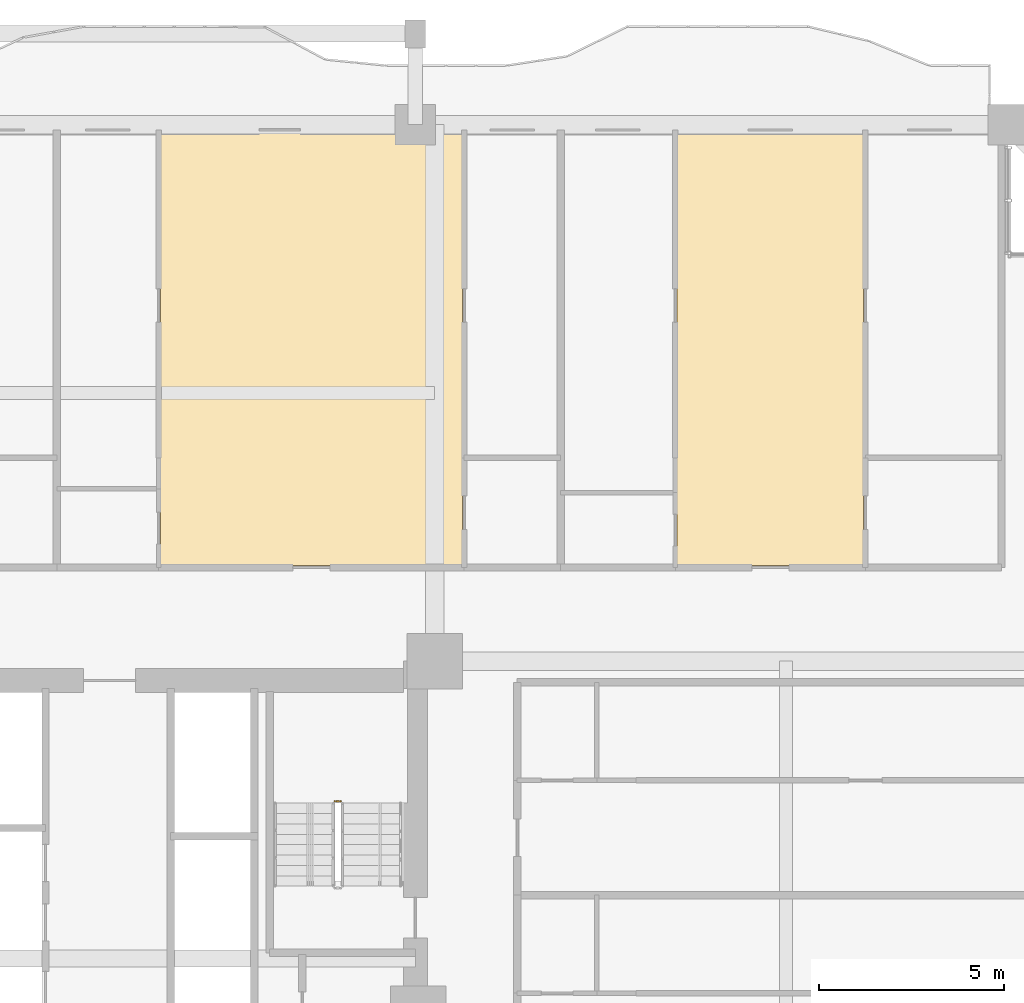
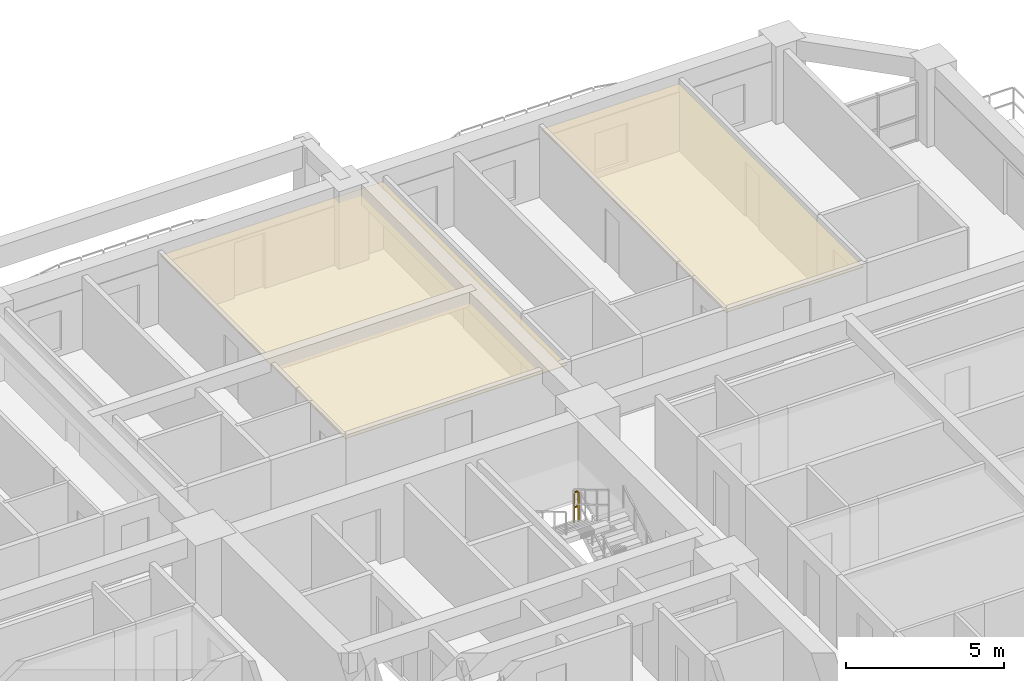
# One storey, part 28 of 28: 2 coverings, 1 railing.
"""IFC4 building model written with IfcOpenShell, lengths in metres."""

from ifc_helpers import new_model, si_unit, direction, frame, origin, origin_2d, place, context, subcontext, project, spatial, polyline, rectangle, outline, extrude, material, layer, layer_set, type_object, element, save


model = new_model("IFC4")

# Units and contexts
model_context = context("Model", 3, precision=1e-05, world=origin(), true_north=direction((0.0, 1.0)))
body_context = subcontext(model_context, "Body", "Model", "MODEL_VIEW")
ifc_project = project(units=[si_unit("LENGTHUNIT", "METRE"), si_unit("AREAUNIT", "SQUARE_METRE"), si_unit("VOLUMEUNIT", "CUBIC_METRE"), si_unit("PLANEANGLEUNIT", "RADIAN"), si_unit("MASSUNIT", "GRAM", prefix="KILO")], contexts=[model_context])

# Site, building, storey
site_placement = place(None, origin())
site = spatial("IfcSite", under=ifc_project, at=site_placement, CompositionType="ELEMENT")
building_placement = place(site_placement, origin())
building = spatial("IfcBuilding", under=site, at=building_placement, Name="Saelheon Loggia Tower", CompositionType="ELEMENT")
storey_placement = place(building_placement, frame((0.0, 0.0, 61.39990234375)))
storey = spatial("IfcBuildingStorey", under=building, at=storey_placement, Name="L19", CompositionType="ELEMENT", Elevation=61.39990234375)

# Coverings
ifc_material_1 = material(Name="Mineral-Fibre Acoustic Ceiling Board", Category="gypsum")
ifc_layer = layer(ifc_material_1, 0.02490234375)
ifc_layer_set = layer_set([ifc_layer], Name="Mineral-Fibre Acoustic Ceiling Board")
covering_type = type_object("IfcCoveringType", Name="Cov_Ceiling_Acoustic", PredefinedType="CEILING", material=ifc_layer_set)
covering_1_placement = place(storey_placement, frame((0.0, 0.0, 2.53515625)))
element("IfcCovering", 1, at=covering_1_placement, inside=storey, type_object=covering_type, Name="L19 Acoustic Suspended Ceiling", PredefinedType="CEILING", context=body_context, shape_type="SweptSolid", body=[
    extrude(outline(polyline([(37.6259765625, 39.10009765625), (45.77001953125, 39.10009765625), (45.77001953125, 50.800048828125), (37.6259765625, 50.800048828125), (37.6259765625, 39.10009765625)])), origin(), (0.0, 0.0, 1.0), 0.02490234375),
])
covering_2_placement = place(storey_placement, frame((0.0, 0.0, 2.53515625)))
element("IfcCovering", 2, at=covering_2_placement, inside=storey, type_object=covering_type, Name="L19 Acoustic Suspended Ceiling", PredefinedType="CEILING", context=body_context, shape_type="SweptSolid", body=[
    extrude(outline(polyline([(51.566162109375, 39.10009765625), (56.593505859375, 39.10009765625), (56.593505859375, 50.800048828125), (51.566162109375, 50.800048828125), (51.566162109375, 39.10009765625)])), origin(), (0.0, 0.0, 1.0), 0.02490234375),
])

# Railing
ifc_material_2 = material(Name="Galvanised Steel S275 Stairwell Guardrail", Category="steel")
railing_type = type_object("IfcRailingType", Name="Guard_StairWell_RL_STG", PredefinedType="GUARDRAIL", material=ifc_material_2)
railing_placement = place(storey_placement, frame((42.489990234375, 32.739990234375, 1.5)))
element("IfcRailing", 3, at=railing_placement, inside=storey, type_object=railing_type, Name="L19 ST2 stair guard 2", PredefinedType="GUARDRAIL", context=body_context, shape_type="SweptSolid", body=[
    extrude(rectangle(XDim=0.048095703125, YDim=0.048095703125, at=origin_2d()), frame((-0.033203125, 0.0, 1.17578125), z_axis=(-1.0, 0.0, 0.0), x_axis=(0.0, -1.0, 0.0)), (0.0, 0.0, 1.0), 0.093505859375),
    extrude(rectangle(XDim=0.048095703125, YDim=0.048095703125, at=origin_2d()), frame((-0.033203125, 0.0, 0.60009765625), z_axis=(-1.0, 0.0, 0.0), x_axis=(0.0, -1.0, 0.0)), (0.0, 0.0, 1.0), 0.093505859375),
    extrude(rectangle(XDim=0.0419921875, YDim=0.0419921875, at=origin_2d()), origin(), (0.0, 0.0, 1.0), 1.14794921875),
    extrude(rectangle(XDim=0.0419921875, YDim=0.0419921875, at=origin_2d()), frame((-0.159912109375, 0.0, 0.0)), (0.0, 0.0, 1.0), 1.14794921875),
])

save(model, "model.ifc")
